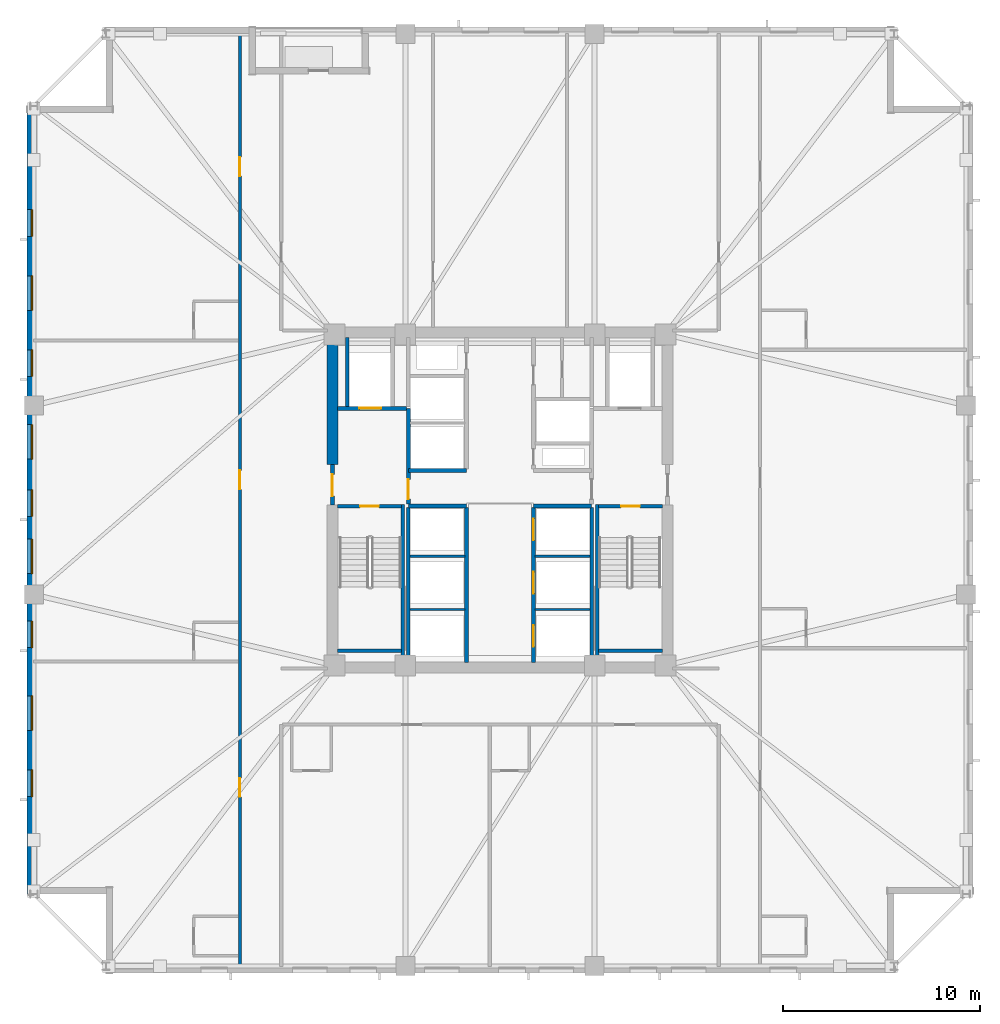
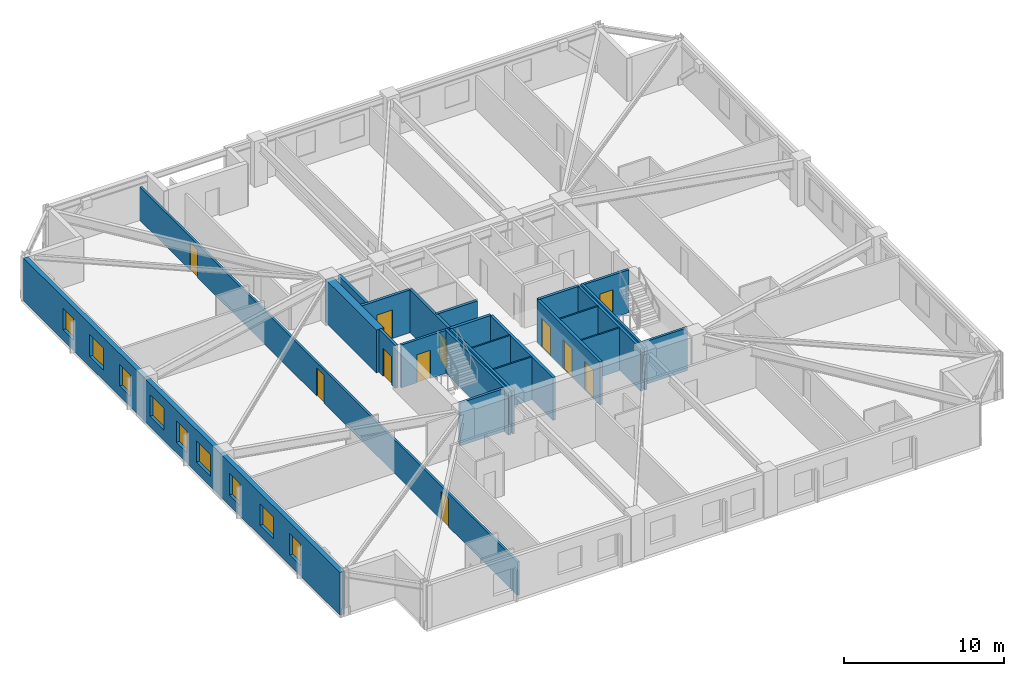
# One storey, part 3 of 11: 24 walls, 11 doors, 9 windows, 20 openings.
"""IFC4 building model written with IfcOpenShell, lengths in metres."""

from ifc_helpers import new_model, si_unit, direction, frame, frame_2d, origin, place, context, subcontext, project, spatial, rectangle, extrude, material, layer, layer_set, type_object, element, fill, save


model = new_model("IFC4")

# Units and contexts
model_context = context("Model", 3, precision=1e-05, world=origin(), true_north=direction((0.0, 1.0)))
body_context = subcontext(model_context, "Body", "Model", "MODEL_VIEW")
ifc_project = project(units=[si_unit("LENGTHUNIT", "METRE"), si_unit("AREAUNIT", "SQUARE_METRE"), si_unit("VOLUMEUNIT", "CUBIC_METRE"), si_unit("PLANEANGLEUNIT", "RADIAN"), si_unit("MASSUNIT", "GRAM", prefix="KILO")], contexts=[model_context])

# Site, building, storey
site_placement = place(None, origin())
site = spatial("IfcSite", under=ifc_project, at=site_placement, CompositionType="ELEMENT")
building_placement = place(site_placement, origin())
building = spatial("IfcBuilding", under=site, at=building_placement, Name="Cairnveth Concourse Tower", CompositionType="ELEMENT")
storey_placement = place(building_placement, frame((0.0, 0.0, 106.0)))
storey = spatial("IfcBuildingStorey", under=building, at=storey_placement, Name="L28", CompositionType="ELEMENT", Elevation=106.0)

# Wall, openings, doors
ifc_material_1 = material(Name="Gypsum Plasterboard Partition", Category="gypsum")
ifc_layer_1 = layer(ifc_material_1, 0.159912109375)
ifc_layer_set_1 = layer_set([ifc_layer_1], Name="Gypsum Plasterboard Partition")
wall_type_1 = type_object("IfcWallType", Name="ACOUSTIC PARTY WALL 180", PredefinedType="PARTITIONING", material=ifc_layer_set_1)
wall_1_placement = place(storey_placement, frame((38.800048828125, 15.324951171875, 0.0), z_axis=(0.0, 0.0, 1.0), x_axis=(0.0, 1.0, 0.0)))
wall_1 = element("IfcWall", 1, at=wall_1_placement, inside=storey, type_object=wall_type_1, Name="Interior Wall IW-L28-038", PredefinedType="PARTITIONING", context=body_context, shape_type="SweptSolid", body=[
    extrude(rectangle(XDim=47.35009765625, YDim=0.159912109375, at=frame_2d((23.675048828125, 0.0))), origin(), (0.0, 0.0, 1.0), 2.554931640625),
])
opening_1_placement = place(wall_1_placement, frame((8.60595703125, 0.0, 0.0)))
opening_1 = element("IfcOpeningElement", 2, at=opening_1_placement, cuts=wall_1, Name="Opening ID09", PredefinedType="OPENING", context=body_context, shape_type="SweptSolid", body=[
    extrude(rectangle(XDim=0.9599609375, YDim=2.14990234375, at=frame_2d((0.47998046875, 1.074951171875))), frame((0.0, 0.08984375, 0.0), z_axis=(0.0, -1.0, 0.0), x_axis=(1.0, 0.0, 0.0)), (0.0, 0.0, 1.0), 0.179931640625),
])
opening_2_placement = place(wall_1_placement, frame((24.218017578125, 0.0, 0.0)))
opening_2 = element("IfcOpeningElement", 3, at=opening_2_placement, cuts=wall_1, Name="Opening ID09", PredefinedType="OPENING", context=body_context, shape_type="SweptSolid", body=[
    extrude(rectangle(XDim=0.9599609375, YDim=2.14990234375, at=frame_2d((0.47998046875, 1.074951171875))), frame((0.0, 0.08984375, 0.0), z_axis=(0.0, -1.0, 0.0), x_axis=(1.0, 0.0, 0.0)), (0.0, 0.0, 1.0), 0.179931640625),
])
opening_3_placement = place(wall_1_placement, frame((40.10693359375, 0.0, 0.0)))
opening_3 = element("IfcOpeningElement", 4, at=opening_3_placement, cuts=wall_1, Name="Opening ID09", PredefinedType="OPENING", context=body_context, shape_type="SweptSolid", body=[
    extrude(rectangle(XDim=0.9599609375, YDim=2.14990234375, at=frame_2d((0.47998046875, 1.074951171875))), frame((0.0, 0.08984375, 0.0), z_axis=(0.0, -1.0, 0.0), x_axis=(1.0, 0.0, 0.0)), (0.0, 0.0, 1.0), 0.179931640625),
])
ifc_material_2 = material(Name="Solid Core Hardwood Timber Leaf", Category="wood")
door_type_1 = type_object("IfcDoorType", Name="HOTEL ENTRANCE DOOR 960X2150", OperationType="NOTDEFINED", PredefinedType="DOOR", material=ifc_material_2)
door_1_placement = place(opening_1_placement, origin())
door_1 = element("IfcDoor", 5, at=door_1_placement, inside=storey, type_object=door_type_1, Name="Hotel Room Door L28-W1", OperationType="SINGLE_SWING_RIGHT", OverallHeight=2.14990234375, OverallWidth=0.9599609375, PredefinedType="DOOR", context=body_context, shape_type="SweptSolid", body=[
    extrude(rectangle(XDim=0.9599609375, YDim=2.14990234375, at=frame_2d((0.47998046875, 1.074951171875))), frame((0.0, 0.02490234375, 0.0), z_axis=(0.0, -1.0, 0.0), x_axis=(1.0, 0.0, 0.0)), (0.0, 0.0, 1.0), 0.050048828125),
])
fill(opening_1, door_1)
door_2_placement = place(opening_2_placement, origin())
door_2 = element("IfcDoor", 6, at=door_2_placement, inside=storey, type_object=door_type_1, Name="Hotel Room Door L28-W2", OperationType="SINGLE_SWING_RIGHT", OverallHeight=2.14990234375, OverallWidth=0.9599609375, PredefinedType="DOOR", context=body_context, shape_type="SweptSolid", body=[
    extrude(rectangle(XDim=0.9599609375, YDim=2.14990234375, at=frame_2d((0.47998046875, 1.074951171875))), frame((0.0, 0.02490234375, 0.0), z_axis=(0.0, -1.0, 0.0), x_axis=(1.0, 0.0, 0.0)), (0.0, 0.0, 1.0), 0.050048828125),
])
fill(opening_2, door_2)
door_3_placement = place(opening_3_placement, origin())
door_3 = element("IfcDoor", 7, at=door_3_placement, inside=storey, type_object=door_type_1, Name="Hotel Room Door L28-W3", OperationType="SINGLE_SWING_RIGHT", OverallHeight=2.14990234375, OverallWidth=0.9599609375, PredefinedType="DOOR", context=body_context, shape_type="SweptSolid", body=[
    extrude(rectangle(XDim=0.9599609375, YDim=2.14990234375, at=frame_2d((0.47998046875, 1.074951171875))), frame((0.0, 0.02490234375, 0.0), z_axis=(0.0, -1.0, 0.0), x_axis=(1.0, 0.0, 0.0)), (0.0, 0.0, 1.0), 0.050048828125),
])
fill(opening_3, door_3)

# Walls
ifc_material_3 = material(Name="Concrete N80 (80 MPa)", Category="concrete")
ifc_layer_2 = layer(ifc_material_3, 0.550048828125)
ifc_layer_set_2 = layer_set([ifc_layer_2], Name="Concrete N80 (80 MPa)")
wall_type_2 = type_object("IfcWallType", Name="CORE SHEAR WALL 550", PredefinedType="SHEAR", material=ifc_layer_set_2)
wall_2_placement = place(storey_placement, frame((43.5, 40.800048828125, 0.0), z_axis=(0.0, 0.0, 1.0), x_axis=(0.0, 1.0, 0.0)))
element("IfcWall", 8, at=wall_2_placement, inside=storey, type_object=wall_type_2, Name="Core West Shear Wall N L28", PredefinedType="SHEAR", context=body_context, shape_type="SweptSolid", body=[
    extrude(rectangle(XDim=6.43505859375, YDim=0.550048828125, at=frame_2d((3.217529296875, 0.0))), origin(), (0.0, 0.0, 1.0), 3.280029296875),
])
ifc_material_4 = material(Name="Concrete N50 (50 MPa)", Category="concrete")
ifc_layer_3 = layer(ifc_material_4, 0.179931640625)
ifc_layer_set_3 = layer_set([ifc_layer_3], Name="Concrete N50 (50 MPa)")
wall_type_3 = type_object("IfcWallType", Name="FIRE SHAFT WALL 180", PredefinedType="SOLIDWALL", material=ifc_layer_set_3)
for number, where, z_axis, x_axis, name in (
    (9, (47.35009765625, 30.760009765625, 0.0), (0.0, 0.0, 1.0), (0.0, 1.0, 0.0), "Interior Wall IW-L28-025"),
    (10, (56.64990234375, 30.760009765625, 0.0), (0.0, 0.0, 1.0), (0.0, 1.0, 0.0), "Interior Wall IW-L28-028"),
):
    element("IfcWall", number, at=place(storey_placement, frame(where, z_axis=z_axis, x_axis=x_axis)), inside=storey, type_object=wall_type_3, Name=name, PredefinedType="SOLIDWALL", context=body_context, shape_type="SweptSolid", body=[
        extrude(rectangle(XDim=7.85498046875, YDim=0.179931640625, at=frame_2d((3.927490234375, 0.0))), origin(), (0.0, 0.0, 1.0), 3.280029296875),
    ])

# Wall, opening, door
wall_3_placement = place(storey_placement, frame((43.764892578125, 38.68994140625, 0.0), z_axis=(0.0, 0.0, 1.0), x_axis=(1.0, 0.0, 0.0)))
wall_3 = element("IfcWall", 11, at=wall_3_placement, inside=storey, type_object=wall_type_3, Name="Stair ST-1 Shaft Wall NEAR L28", PredefinedType="SOLIDWALL", context=body_context, shape_type="SweptSolid", body=[
    extrude(rectangle(XDim=3.230224609375, YDim=0.179931640625, at=frame_2d((1.615234375, 0.0))), origin(), (0.0, 0.0, 1.0), 3.280029296875),
])
opening_4_placement = place(wall_3_placement, frame((1.139892578125, 0.0, 0.0)))
opening_4 = element("IfcOpeningElement", 12, at=opening_4_placement, cuts=wall_3, Name="Opening ID12", PredefinedType="OPENING", context=body_context, shape_type="SweptSolid", body=[
    extrude(rectangle(XDim=0.949951171875, YDim=2.14990234375, at=frame_2d((0.47509765625, 1.074951171875))), frame((0.0, 0.099853515625, 0.0), z_axis=(0.0, -1.0, 0.0), x_axis=(1.0, 0.0, 0.0)), (0.0, 0.0, 1.0), 0.199951171875),
])
ifc_material_5 = material(Name="Steel Grade 350", Category="steel")
door_type_2 = type_object("IfcDoorType", Name="FIRE STAIR DOOR 950X2150", OperationType="NOTDEFINED", PredefinedType="DOOR", material=ifc_material_5)
door_4_placement = place(opening_4_placement, origin())
door_4 = element("IfcDoor", 13, at=door_4_placement, inside=storey, type_object=door_type_2, Name="Stair ST-1 Fire Door L28", OperationType="SINGLE_SWING_LEFT", OverallHeight=2.14990234375, OverallWidth=0.949951171875, PredefinedType="DOOR", context=body_context, shape_type="SweptSolid", body=[
    extrude(rectangle(XDim=0.949951171875, YDim=2.14990234375, at=frame_2d((0.47509765625, 1.074951171875))), frame((0.0, 0.02490234375, 0.0), z_axis=(0.0, -1.0, 0.0), x_axis=(1.0, 0.0, 0.0)), (0.0, 0.0, 1.0), 0.050048828125),
])
fill(opening_4, door_4)

# Walls
wall_4_placement = place(storey_placement, frame((43.764892578125, 31.360107421875, 0.0), z_axis=(0.0, 0.0, 1.0), x_axis=(1.0, 0.0, 0.0)))
element("IfcWall", 14, at=wall_4_placement, inside=storey, type_object=wall_type_3, Name="Stair ST-1 Shaft Wall FAR L28", PredefinedType="SOLIDWALL", context=body_context, shape_type="SweptSolid", body=[
    extrude(rectangle(XDim=3.230224609375, YDim=0.179931640625, at=frame_2d((1.615234375, 0.0))), origin(), (0.0, 0.0, 1.0), 3.280029296875),
])
wall_5_placement = place(storey_placement, frame((47.070068359375, 38.780029296875, 0.0), z_axis=(0.0, 0.0, 1.0), x_axis=(0.0, -1.0, 0.0)))
element("IfcWall", 15, at=wall_5_placement, inside=storey, type_object=wall_type_3, Name="Stair ST-1 Shaft Wall RGHT L28", PredefinedType="SOLIDWALL", context=body_context, shape_type="SweptSolid", body=[
    extrude(rectangle(XDim=8.01708984375, YDim=0.179931640625, at=frame_2d((4.008544921875, 0.0))), origin(), (0.0, 0.0, 1.0), 3.280029296875),
])

# Wall, opening, door
wall_6_placement = place(storey_placement, frame((57.0048828125, 38.68994140625, 0.0), z_axis=(0.0, 0.0, 1.0), x_axis=(1.0, 0.0, 0.0)))
wall_6 = element("IfcWall", 16, at=wall_6_placement, inside=storey, type_object=wall_type_3, Name="Stair ST-2 Shaft Wall NEAR L28", PredefinedType="SOLIDWALL", context=body_context, shape_type="SweptSolid", body=[
    extrude(rectangle(XDim=3.230224609375, YDim=0.179931640625, at=frame_2d((1.615234375, 0.0))), origin(), (0.0, 0.0, 1.0), 3.280029296875),
])
opening_5_placement = place(wall_6_placement, frame((1.139892578125, 0.0, 0.0)))
opening_5 = element("IfcOpeningElement", 17, at=opening_5_placement, cuts=wall_6, Name="Opening ID12", PredefinedType="OPENING", context=body_context, shape_type="SweptSolid", body=[
    extrude(rectangle(XDim=0.949951171875, YDim=2.14990234375, at=frame_2d((0.47509765625, 1.074951171875))), frame((0.0, 0.099853515625, 0.0), z_axis=(0.0, -1.0, 0.0), x_axis=(1.0, 0.0, 0.0)), (0.0, 0.0, 1.0), 0.199951171875),
])
door_5_placement = place(opening_5_placement, origin())
door_5 = element("IfcDoor", 18, at=door_5_placement, inside=storey, type_object=door_type_2, Name="Stair ST-2 Fire Door L28", OperationType="SINGLE_SWING_RIGHT", OverallHeight=2.14990234375, OverallWidth=0.949951171875, PredefinedType="DOOR", context=body_context, shape_type="SweptSolid", body=[
    extrude(rectangle(XDim=0.949951171875, YDim=2.14990234375, at=frame_2d((0.47509765625, 1.074951171875))), frame((0.0, 0.02490234375, 0.0), z_axis=(0.0, -1.0, 0.0), x_axis=(1.0, 0.0, 0.0)), (0.0, 0.0, 1.0), 0.050048828125),
])
fill(opening_5, door_5)

# Walls
wall_7_placement = place(storey_placement, frame((57.0048828125, 31.360107421875, 0.0), z_axis=(0.0, 0.0, 1.0), x_axis=(1.0, 0.0, 0.0)))
element("IfcWall", 19, at=wall_7_placement, inside=storey, type_object=wall_type_3, Name="Stair ST-2 Shaft Wall FAR L28", PredefinedType="SOLIDWALL", context=body_context, shape_type="SweptSolid", body=[
    extrude(rectangle(XDim=3.230224609375, YDim=0.179931640625, at=frame_2d((1.615234375, 0.0))), origin(), (0.0, 0.0, 1.0), 3.280029296875),
])
wall_8_placement = place(storey_placement, frame((56.929931640625, 38.780029296875, 0.0), z_axis=(0.0, 0.0, 1.0), x_axis=(0.0, -1.0, 0.0)))
element("IfcWall", 20, at=wall_8_placement, inside=storey, type_object=wall_type_3, Name="Stair ST-2 Shaft Wall LEFT L28", PredefinedType="SOLIDWALL", context=body_context, shape_type="SweptSolid", body=[
    extrude(rectangle(XDim=8.01708984375, YDim=0.179931640625, at=frame_2d((4.008544921875, 0.0))), origin(), (0.0, 0.0, 1.0), 3.280029296875),
])
ifc_layer_4 = layer(ifc_material_4, 0.199951171875)
ifc_layer_set_4 = layer_set([ifc_layer_4], Name="Concrete N50 (50 MPa)")
wall_type_4 = type_object("IfcWallType", Name="FIRE SHAFT WALL 200", PredefinedType="SOLIDWALL", material=ifc_layer_set_4)
for number, where, z_axis, x_axis, name in (
    (21, (47.35009765625, 38.699951171875, 0.0), (0.0, 0.0, 1.0), (1.0, 0.0, 0.0), "Interior Wall IW-L28-007"),
    (22, (47.35009765625, 40.5, 0.0), (0.0, 0.0, 1.0), (1.0, 0.0, 0.0), "Interior Wall IW-L28-008"),
    (23, (53.699951171875, 38.699951171875, 0.0), (0.0, 0.0, 1.0), (1.0, 0.0, 0.0), "Interior Wall IW-L28-009"),
):
    element("IfcWall", number, at=place(storey_placement, frame(where, z_axis=z_axis, x_axis=x_axis)), inside=storey, type_object=wall_type_4, Name=name, PredefinedType="SOLIDWALL", context=body_context, shape_type="SweptSolid", body=[
        extrude(rectangle(XDim=2.949951171875, YDim=0.199951171875, at=frame_2d((1.47509765625, 0.0))), origin(), (0.0, 0.0, 1.0), 3.280029296875),
    ])
wall_9_placement = place(storey_placement, frame((50.300048828125, 30.760009765625, 0.0), z_axis=(0.0, 0.0, 1.0), x_axis=(0.0, 1.0, 0.0)))
element("IfcWall", 24, at=wall_9_placement, inside=storey, type_object=wall_type_4, Name="Interior Wall IW-L28-011", PredefinedType="SOLIDWALL", context=body_context, shape_type="SweptSolid", body=[
    extrude(rectangle(XDim=7.85498046875, YDim=0.199951171875, at=frame_2d((3.927490234375, 0.0))), origin(), (0.0, 0.0, 1.0), 3.280029296875),
])

# Wall, openings, doors
wall_10_placement = place(storey_placement, frame((53.699951171875, 30.760009765625, 0.0), z_axis=(0.0, 0.0, 1.0), x_axis=(0.0, 1.0, 0.0)))
wall_10 = element("IfcWall", 25, at=wall_10_placement, inside=storey, type_object=wall_type_4, Name="Interior Wall IW-L28-012", PredefinedType="SOLIDWALL", context=body_context, shape_type="SweptSolid", body=[
    extrude(rectangle(XDim=7.85498046875, YDim=0.199951171875, at=frame_2d((3.927490234375, 0.0))), origin(), (0.0, 0.0, 1.0), 3.280029296875),
])
opening_6_placement = place(wall_10_placement, frame((0.7900390625, 0.0, 0.0)))
opening_6 = element("IfcOpeningElement", 26, at=opening_6_placement, cuts=wall_10, Name="Opening LD-1", PredefinedType="OPENING", context=body_context, shape_type="SweptSolid", body=[
    extrude(rectangle(XDim=1.10009765625, YDim=2.199951171875, at=frame_2d((0.550048828125, 1.10009765625))), frame((0.0, 0.10986328125, 0.0), z_axis=(0.0, -1.0, 0.0), x_axis=(1.0, 0.0, 0.0)), (0.0, 0.0, 1.0), 0.219970703125),
])
opening_7_placement = place(wall_10_placement, frame((3.489990234375, 0.0, 0.0)))
opening_7 = element("IfcOpeningElement", 27, at=opening_7_placement, cuts=wall_10, Name="Opening LD-1", PredefinedType="OPENING", context=body_context, shape_type="SweptSolid", body=[
    extrude(rectangle(XDim=1.10009765625, YDim=2.199951171875, at=frame_2d((0.550048828125, 1.10009765625))), frame((0.0, 0.10986328125, 0.0), z_axis=(0.0, -1.0, 0.0), x_axis=(1.0, 0.0, 0.0)), (0.0, 0.0, 1.0), 0.219970703125),
])
opening_8_placement = place(wall_10_placement, frame((6.18994140625, 0.0, 0.0)))
opening_8 = element("IfcOpeningElement", 28, at=opening_8_placement, cuts=wall_10, Name="Opening LD-1", PredefinedType="OPENING", context=body_context, shape_type="SweptSolid", body=[
    extrude(rectangle(XDim=1.10009765625, YDim=2.199951171875, at=frame_2d((0.550048828125, 1.10009765625))), frame((0.0, 0.10986328125, 0.0), z_axis=(0.0, -1.0, 0.0), x_axis=(1.0, 0.0, 0.0)), (0.0, 0.0, 1.0), 0.219970703125),
])
ifc_material_6 = material(Name="Architectural Bronze Anodised Aluminium 6063-T6", Category="aluminium")
door_type_3 = type_object("IfcDoorType", Name="LIFT LANDING DOOR 1100X2200", OperationType="SLIDING_TO_LEFT", PredefinedType="DOOR", material=ifc_material_6)
door_6_placement = place(opening_6_placement, origin())
door_6 = element("IfcDoor", 29, at=door_6_placement, inside=storey, type_object=door_type_3, Name="Lift PL4 Landing Door L28", OperationType="SLIDING_TO_LEFT", OverallHeight=2.199951171875, OverallWidth=1.10009765625, PredefinedType="DOOR", context=body_context, shape_type="SweptSolid", body=[
    extrude(rectangle(XDim=1.10009765625, YDim=2.199951171875, at=frame_2d((0.550048828125, 1.10009765625))), frame((0.0, 0.02490234375, 0.0), z_axis=(0.0, -1.0, 0.0), x_axis=(1.0, 0.0, 0.0)), (0.0, 0.0, 1.0), 0.050048828125),
])
fill(opening_6, door_6)
door_7_placement = place(opening_7_placement, origin())
door_7 = element("IfcDoor", 30, at=door_7_placement, inside=storey, type_object=door_type_3, Name="Lift PL5 Landing Door L28", OperationType="SLIDING_TO_LEFT", OverallHeight=2.199951171875, OverallWidth=1.10009765625, PredefinedType="DOOR", context=body_context, shape_type="SweptSolid", body=[
    extrude(rectangle(XDim=1.10009765625, YDim=2.199951171875, at=frame_2d((0.550048828125, 1.10009765625))), frame((0.0, 0.02490234375, 0.0), z_axis=(0.0, -1.0, 0.0), x_axis=(1.0, 0.0, 0.0)), (0.0, 0.0, 1.0), 0.050048828125),
])
fill(opening_7, door_7)
door_8_placement = place(opening_8_placement, origin())
door_8 = element("IfcDoor", 31, at=door_8_placement, inside=storey, type_object=door_type_3, Name="Lift PL6 Landing Door L28", OperationType="SLIDING_TO_LEFT", OverallHeight=2.199951171875, OverallWidth=1.10009765625, PredefinedType="DOOR", context=body_context, shape_type="SweptSolid", body=[
    extrude(rectangle(XDim=1.10009765625, YDim=2.199951171875, at=frame_2d((0.550048828125, 1.10009765625))), frame((0.0, 0.02490234375, 0.0), z_axis=(0.0, -1.0, 0.0), x_axis=(1.0, 0.0, 0.0)), (0.0, 0.0, 1.0), 0.050048828125),
])
fill(opening_8, door_8)

# Wall, opening, door
wall_11_placement = place(storey_placement, frame((43.5, 38.75, 0.0), z_axis=(0.0, 0.0, 1.0), x_axis=(0.0, 1.0, 0.0)))
wall_11 = element("IfcWall", 32, at=wall_11_placement, inside=storey, type_object=wall_type_4, Name="Interior Wall IW-L28-015", PredefinedType="SOLIDWALL", context=body_context, shape_type="SweptSolid", body=[
    extrude(rectangle(XDim=2.050048828125, YDim=0.199951171875, at=frame_2d((1.02490234375, 0.0))), origin(), (0.0, 0.0, 1.0), 3.280029296875),
])
opening_9_placement = place(wall_11_placement, frame((0.449951171875, 0.0, 0.0)))
opening_9 = element("IfcOpeningElement", 33, at=opening_9_placement, cuts=wall_11, Name="Opening ID06", PredefinedType="OPENING", context=body_context, shape_type="SweptSolid", body=[
    extrude(rectangle(XDim=1.10009765625, YDim=2.14990234375, at=frame_2d((0.550048828125, 1.074951171875))), frame((0.0, 0.10986328125, 0.0), z_axis=(0.0, -1.0, 0.0), x_axis=(1.0, 0.0, 0.0)), (0.0, 0.0, 1.0), 0.219970703125),
])
door_type_4 = type_object("IfcDoorType", Name="FIRE CORRIDOR DOOR 1100X2150", OperationType="NOTDEFINED", PredefinedType="DOOR", material=ifc_material_5)
door_9_placement = place(opening_9_placement, origin())
door_9 = element("IfcDoor", 34, at=door_9_placement, inside=storey, type_object=door_type_4, Name="West Wing to FF Lobby Door L28", OperationType="SINGLE_SWING_LEFT", OverallHeight=2.14990234375, OverallWidth=1.10009765625, PredefinedType="DOOR", context=body_context, shape_type="SweptSolid", body=[
    extrude(rectangle(XDim=1.10009765625, YDim=2.14990234375, at=frame_2d((0.550048828125, 1.074951171875))), frame((0.0, 0.02490234375, 0.0), z_axis=(0.0, -1.0, 0.0), x_axis=(1.0, 0.0, 0.0)), (0.0, 0.0, 1.0), 0.050048828125),
])
fill(opening_9, door_9)

wall_12_placement = place(storey_placement, frame((47.35009765625, 38.784912109375, 0.0), z_axis=(0.0, 0.0, 1.0), x_axis=(0.0, 1.0, 0.0)))
wall_12 = element("IfcWall", 35, at=wall_12_placement, inside=storey, type_object=wall_type_4, Name="Interior Wall IW-L28-016", PredefinedType="SOLIDWALL", context=body_context, shape_type="SweptSolid", body=[
    extrude(rectangle(XDim=4.864990234375, YDim=0.199951171875, at=frame_2d((2.4326171875, 0.0))), origin(), (0.0, 0.0, 1.0), 3.280029296875),
])
opening_10_placement = place(wall_12_placement, frame((0.264892578125, 0.0, 0.0)))
opening_10 = element("IfcOpeningElement", 36, at=opening_10_placement, cuts=wall_12, Name="Opening ID07", PredefinedType="OPENING", context=body_context, shape_type="SweptSolid", body=[
    extrude(rectangle(XDim=1.0, YDim=2.14990234375, at=frame_2d((0.5, 1.074951171875))), frame((0.0, 0.10986328125, 0.0), z_axis=(0.0, -1.0, 0.0), x_axis=(1.0, 0.0, 0.0)), (0.0, 0.0, 1.0), 0.219970703125),
])
door_type_5 = type_object("IfcDoorType", Name="FIRE CORRIDOR DOOR 1000X2150", OperationType="NOTDEFINED", PredefinedType="DOOR", material=ifc_material_5)
door_10_placement = place(opening_10_placement, origin())
door_10 = element("IfcDoor", 37, at=door_10_placement, inside=storey, type_object=door_type_5, Name="FF Lobby West to Lift Lobby Door L28", OperationType="SINGLE_SWING_RIGHT", OverallHeight=2.14990234375, OverallWidth=1.0, PredefinedType="DOOR", context=body_context, shape_type="SweptSolid", body=[
    extrude(rectangle(XDim=1.0, YDim=2.14990234375, at=frame_2d((0.5, 1.074951171875))), frame((0.0, 0.02490234375, 0.0), z_axis=(0.0, -1.0, 0.0), x_axis=(1.0, 0.0, 0.0)), (0.0, 0.0, 1.0), 0.050048828125),
])
fill(opening_10, door_10)

wall_13_placement = place(storey_placement, frame((43.760009765625, 43.64990234375, 0.0), z_axis=(0.0, 0.0, 1.0), x_axis=(1.0, 0.0, 0.0)))
wall_13 = element("IfcWall", 38, at=wall_13_placement, inside=storey, type_object=wall_type_4, Name="Interior Wall IW-L28-017", PredefinedType="SOLIDWALL", context=body_context, shape_type="SweptSolid", body=[
    extrude(rectangle(XDim=3.5048828125, YDim=0.199951171875, at=frame_2d((1.75244140625, 0.0))), origin(), (0.0, 0.0, 1.0), 3.280029296875),
])
opening_11_placement = place(wall_13_placement, frame((1.110107421875, 0.0, 0.0)))
opening_11 = element("IfcOpeningElement", 39, at=opening_11_placement, cuts=wall_13, Name="Opening LD-1", PredefinedType="OPENING", context=body_context, shape_type="SweptSolid", body=[
    extrude(rectangle(XDim=1.10009765625, YDim=2.199951171875, at=frame_2d((0.550048828125, 1.10009765625))), frame((0.0, 0.10986328125, 0.0), z_axis=(0.0, -1.0, 0.0), x_axis=(1.0, 0.0, 0.0)), (0.0, 0.0, 1.0), 0.219970703125),
])
door_11_placement = place(opening_11_placement, origin())
door_11 = element("IfcDoor", 40, at=door_11_placement, inside=storey, type_object=door_type_3, Name="Lift FFL1 Landing Door L28", OperationType="SLIDING_TO_LEFT", OverallHeight=2.199951171875, OverallWidth=1.10009765625, PredefinedType="DOOR", context=body_context, shape_type="SweptSolid", body=[
    extrude(rectangle(XDim=1.10009765625, YDim=2.199951171875, at=frame_2d((0.550048828125, 1.10009765625))), frame((0.0, 0.02490234375, 0.0), z_axis=(0.0, -1.0, 0.0), x_axis=(1.0, 0.0, 0.0)), (0.0, 0.0, 1.0), 0.050048828125),
])
fill(opening_11, door_11)

# Walls
wall_14_placement = place(storey_placement, frame((44.25, 43.735107421875, 0.0), z_axis=(0.0, 0.0, 1.0), x_axis=(0.0, 1.0, 0.0)))
element("IfcWall", 41, at=wall_14_placement, inside=storey, type_object=wall_type_4, Name="Interior Wall IW-L28-019", PredefinedType="SOLIDWALL", context=body_context, shape_type="SweptSolid", body=[
    extrude(rectangle(XDim=3.5048828125, YDim=0.199951171875, at=frame_2d((1.75244140625, 0.0))), origin(), (0.0, 0.0, 1.0), 3.280029296875),
])
ifc_layer_5 = layer(ifc_material_1, 0.110107421875)
ifc_layer_set_5 = layer_set([ifc_layer_5], Name="Gypsum Plasterboard Partition")
wall_type_5 = type_object("IfcWallType", Name="SHAFT DIVIDER WALL 140", PredefinedType="PARTITIONING", material=ifc_layer_set_5)
for number, where, z_axis, x_axis, name in (
    (42, (47.425048828125, 33.449951171875, 0.0), (0.0, 0.0, 1.0), (1.0, 0.0, 0.0), "Interior Wall IW-L28-026"),
    (43, (47.425048828125, 36.14990234375, 0.0), (0.0, 0.0, 1.0), (1.0, 0.0, 0.0), "Interior Wall IW-L28-027"),
    (44, (53.784912109375, 33.449951171875, 0.0), (0.0, 0.0, 1.0), (1.0, 0.0, 0.0), "Interior Wall IW-L28-029"),
    (45, (53.784912109375, 36.14990234375, 0.0), (0.0, 0.0, 1.0), (1.0, 0.0, 0.0), "Interior Wall IW-L28-030"),
):
    element("IfcWall", number, at=place(storey_placement, frame(where, z_axis=z_axis, x_axis=x_axis)), inside=storey, type_object=wall_type_5, Name=name, PredefinedType="PARTITIONING", context=body_context, shape_type="SweptSolid", body=[
        extrude(rectangle(XDim=2.7900390625, YDim=0.110107421875, at=frame_2d((1.39501953125, 0.0))), origin(), (0.0, 0.0, 1.0), 3.280029296875),
    ])

# Wall, openings, windows
ifc_material_7 = material(Name="Hawthorn Red-Ochre Fired Clay Brick Masonry", Category="masonry")
ifc_layer_6 = layer(ifc_material_7, 0.340087890625)
ifc_layer_set_6 = layer_set([ifc_layer_6], Name="Hawthorn Red-Ochre Fired Clay Brick Masonry")
wall_type_6 = type_object("IfcWallType", Name="ZONE 2 BRICK PIER SPANDREL WALL 340", PredefinedType="SOLIDWALL", material=ifc_layer_set_6)
wall_15_placement = place(storey_placement, frame((28.169921875, 19.0, 0.0), z_axis=(0.0, 0.0, 1.0), x_axis=(0.0, 1.0, 0.0)))
wall_15 = element("IfcWall", 46, at=wall_15_placement, inside=storey, type_object=wall_type_6, Name="Exterior Wall EW-L28-S09", PredefinedType="SOLIDWALL", context=body_context, shape_type="SweptSolid", body=[
    extrude(rectangle(XDim=39.681884765625, YDim=0.340087890625, at=frame_2d((19.8408203125, 0.0))), origin(), (0.0, 0.0, 1.0), 3.280029296875),
])
opening_12_placement = place(wall_15_placement, frame((4.951904296875, 0.0, 0.800048828125)))
opening_12 = element("IfcOpeningElement", 47, at=opening_12_placement, cuts=wall_15, Name="Opening W02", PredefinedType="OPENING", context=body_context, shape_type="SweptSolid", body=[
    extrude(rectangle(XDim=1.35009765625, YDim=1.659912109375, at=frame_2d((0.675048828125, 0.830078125))), frame((0.0, 0.179931640625, 0.0), z_axis=(0.0, -1.0, 0.0), x_axis=(1.0, 0.0, 0.0)), (0.0, 0.0, 1.0), 0.360107421875),
])
opening_13_placement = place(wall_15_placement, frame((8.305419921875, 0.0, 0.800048828125)))
opening_13 = element("IfcOpeningElement", 48, at=opening_13_placement, cuts=wall_15, Name="Opening W06", PredefinedType="OPENING", context=body_context, shape_type="SweptSolid", body=[
    extrude(rectangle(XDim=1.75, YDim=1.659912109375, at=frame_2d((0.875, 0.830078125))), frame((0.0, 0.179931640625, 0.0), z_axis=(0.0, -1.0, 0.0), x_axis=(1.0, 0.0, 0.0)), (0.0, 0.0, 1.0), 0.360107421875),
])
opening_14_placement = place(wall_15_placement, frame((12.5087890625, 0.0, 0.800048828125)))
opening_14 = element("IfcOpeningElement", 49, at=opening_14_placement, cuts=wall_15, Name="Opening W02", PredefinedType="OPENING", context=body_context, shape_type="SweptSolid", body=[
    extrude(rectangle(XDim=1.35009765625, YDim=1.659912109375, at=frame_2d((0.675048828125, 0.830078125))), frame((0.0, 0.179931640625, 0.0), z_axis=(0.0, -1.0, 0.0), x_axis=(1.0, 0.0, 0.0)), (0.0, 0.0, 1.0), 0.360107421875),
])
opening_15_placement = place(wall_15_placement, frame((16.262451171875, 0.0, 0.800048828125)))
opening_15 = element("IfcOpeningElement", 50, at=opening_15_placement, cuts=wall_15, Name="Opening W06", PredefinedType="OPENING", context=body_context, shape_type="SweptSolid", body=[
    extrude(rectangle(XDim=1.75, YDim=1.659912109375, at=frame_2d((0.875, 0.830078125))), frame((0.0, 0.179931640625, 0.0), z_axis=(0.0, -1.0, 0.0), x_axis=(1.0, 0.0, 0.0)), (0.0, 0.0, 1.0), 0.360107421875),
])
opening_16_placement = place(wall_15_placement, frame((19.166015625, 0.0, 0.800048828125)))
opening_16 = element("IfcOpeningElement", 51, at=opening_16_placement, cuts=wall_15, Name="Opening W02", PredefinedType="OPENING", context=body_context, shape_type="SweptSolid", body=[
    extrude(rectangle(XDim=1.35009765625, YDim=1.659912109375, at=frame_2d((0.675048828125, 0.830078125))), frame((0.0, 0.179931640625, 0.0), z_axis=(0.0, -1.0, 0.0), x_axis=(1.0, 0.0, 0.0)), (0.0, 0.0, 1.0), 0.360107421875),
])
opening_17_placement = place(wall_15_placement, frame((22.069580078125, 0.0, 0.800048828125)))
opening_17 = element("IfcOpeningElement", 52, at=opening_17_placement, cuts=wall_15, Name="Opening W06", PredefinedType="OPENING", context=body_context, shape_type="SweptSolid", body=[
    extrude(rectangle(XDim=1.75, YDim=1.659912109375, at=frame_2d((0.875, 0.830078125))), frame((0.0, 0.179931640625, 0.0), z_axis=(0.0, -1.0, 0.0), x_axis=(1.0, 0.0, 0.0)), (0.0, 0.0, 1.0), 0.360107421875),
])
opening_18_placement = place(wall_15_placement, frame((26.273193359375, 0.0, 0.800048828125)))
opening_18 = element("IfcOpeningElement", 53, at=opening_18_placement, cuts=wall_15, Name="Opening W02", PredefinedType="OPENING", context=body_context, shape_type="SweptSolid", body=[
    extrude(rectangle(XDim=1.35009765625, YDim=1.659912109375, at=frame_2d((0.675048828125, 0.830078125))), frame((0.0, 0.179931640625, 0.0), z_axis=(0.0, -1.0, 0.0), x_axis=(1.0, 0.0, 0.0)), (0.0, 0.0, 1.0), 0.360107421875),
])
opening_19_placement = place(wall_15_placement, frame((29.626708984375, 0.0, 0.800048828125)))
opening_19 = element("IfcOpeningElement", 54, at=opening_19_placement, cuts=wall_15, Name="Opening W06", PredefinedType="OPENING", context=body_context, shape_type="SweptSolid", body=[
    extrude(rectangle(XDim=1.75, YDim=1.659912109375, at=frame_2d((0.875, 0.830078125))), frame((0.0, 0.179931640625, 0.0), z_axis=(0.0, -1.0, 0.0), x_axis=(1.0, 0.0, 0.0)), (0.0, 0.0, 1.0), 0.360107421875),
])
opening_20_placement = place(wall_15_placement, frame((33.380126953125, 0.0, 0.800048828125)))
opening_20 = element("IfcOpeningElement", 55, at=opening_20_placement, cuts=wall_15, Name="Opening W02", PredefinedType="OPENING", context=body_context, shape_type="SweptSolid", body=[
    extrude(rectangle(XDim=1.35009765625, YDim=1.659912109375, at=frame_2d((0.675048828125, 0.830078125))), frame((0.0, 0.179931640625, 0.0), z_axis=(0.0, -1.0, 0.0), x_axis=(1.0, 0.0, 0.0)), (0.0, 0.0, 1.0), 0.360107421875),
])
ifc_material_8 = material(Name="Double Glazed Low-E Clear Glass", Category="glass")
window_type_1 = type_object("IfcWindowType", Name="DEEP-SET GOTHIC LANCET WINDOW 1350X1800", PartitioningType="DOUBLE_PANEL_VERTICAL", PredefinedType="WINDOW", material=ifc_material_8)
window_1_placement = place(opening_12_placement, origin())
window_1 = element("IfcWindow", 56, at=window_1_placement, inside=storey, type_object=window_type_1, Name="Gothic Lancet Window L28-9-1", OverallHeight=1.659912109375, OverallWidth=1.35009765625, PartitioningType="SINGLE_PANEL", PredefinedType="WINDOW", context=body_context, shape_type="SweptSolid", body=[
    extrude(rectangle(XDim=1.35009765625, YDim=1.659912109375, at=frame_2d((0.675048828125, 0.830078125))), frame((0.0, -0.050048828125, 0.0), z_axis=(0.0, -1.0, 0.0), x_axis=(1.0, 0.0, 0.0)), (0.0, 0.0, 1.0), 0.06005859375),
])
fill(opening_12, window_1)
window_2_placement = place(opening_14_placement, origin())
window_2 = element("IfcWindow", 57, at=window_2_placement, inside=storey, type_object=window_type_1, Name="Gothic Lancet Window L28-9-3", OverallHeight=1.659912109375, OverallWidth=1.35009765625, PartitioningType="SINGLE_PANEL", PredefinedType="WINDOW", context=body_context, shape_type="SweptSolid", body=[
    extrude(rectangle(XDim=1.35009765625, YDim=1.659912109375, at=frame_2d((0.675048828125, 0.830078125))), frame((0.0, -0.050048828125, 0.0), z_axis=(0.0, -1.0, 0.0), x_axis=(1.0, 0.0, 0.0)), (0.0, 0.0, 1.0), 0.06005859375),
])
fill(opening_14, window_2)
window_3_placement = place(opening_16_placement, origin())
window_3 = element("IfcWindow", 58, at=window_3_placement, inside=storey, type_object=window_type_1, Name="Gothic Lancet Window L28-9-5", OverallHeight=1.659912109375, OverallWidth=1.35009765625, PartitioningType="SINGLE_PANEL", PredefinedType="WINDOW", context=body_context, shape_type="SweptSolid", body=[
    extrude(rectangle(XDim=1.35009765625, YDim=1.659912109375, at=frame_2d((0.675048828125, 0.830078125))), frame((0.0, -0.050048828125, 0.0), z_axis=(0.0, -1.0, 0.0), x_axis=(1.0, 0.0, 0.0)), (0.0, 0.0, 1.0), 0.06005859375),
])
fill(opening_16, window_3)
window_4_placement = place(opening_18_placement, origin())
window_4 = element("IfcWindow", 59, at=window_4_placement, inside=storey, type_object=window_type_1, Name="Gothic Lancet Window L28-9-7", OverallHeight=1.659912109375, OverallWidth=1.35009765625, PartitioningType="SINGLE_PANEL", PredefinedType="WINDOW", context=body_context, shape_type="SweptSolid", body=[
    extrude(rectangle(XDim=1.35009765625, YDim=1.659912109375, at=frame_2d((0.675048828125, 0.830078125))), frame((0.0, -0.050048828125, 0.0), z_axis=(0.0, -1.0, 0.0), x_axis=(1.0, 0.0, 0.0)), (0.0, 0.0, 1.0), 0.06005859375),
])
fill(opening_18, window_4)
window_5_placement = place(opening_20_placement, origin())
window_5 = element("IfcWindow", 60, at=window_5_placement, inside=storey, type_object=window_type_1, Name="Gothic Lancet Window L28-9-9", OverallHeight=1.659912109375, OverallWidth=1.35009765625, PartitioningType="SINGLE_PANEL", PredefinedType="WINDOW", context=body_context, shape_type="SweptSolid", body=[
    extrude(rectangle(XDim=1.35009765625, YDim=1.659912109375, at=frame_2d((0.675048828125, 0.830078125))), frame((0.0, -0.050048828125, 0.0), z_axis=(0.0, -1.0, 0.0), x_axis=(1.0, 0.0, 0.0)), (0.0, 0.0, 1.0), 0.06005859375),
])
fill(opening_20, window_5)
window_type_2 = type_object("IfcWindowType", Name="DEEP-SET HOTEL SUITE WINDOW 1750X1800", PartitioningType="DOUBLE_PANEL_VERTICAL", PredefinedType="WINDOW", material=ifc_material_8)
window_6_placement = place(opening_13_placement, origin())
window_6 = element("IfcWindow", 61, at=window_6_placement, inside=storey, type_object=window_type_2, Name="Gothic Lancet Window L28-9-2", OverallHeight=1.659912109375, OverallWidth=1.75, PartitioningType="SINGLE_PANEL", PredefinedType="WINDOW", context=body_context, shape_type="SweptSolid", body=[
    extrude(rectangle(XDim=1.75, YDim=1.659912109375, at=frame_2d((0.875, 0.830078125))), frame((0.0, -0.050048828125, 0.0), z_axis=(0.0, -1.0, 0.0), x_axis=(1.0, 0.0, 0.0)), (0.0, 0.0, 1.0), 0.06005859375),
])
fill(opening_13, window_6)
window_7_placement = place(opening_15_placement, origin())
window_7 = element("IfcWindow", 62, at=window_7_placement, inside=storey, type_object=window_type_2, Name="Gothic Lancet Window L28-9-4", OverallHeight=1.659912109375, OverallWidth=1.75, PartitioningType="SINGLE_PANEL", PredefinedType="WINDOW", context=body_context, shape_type="SweptSolid", body=[
    extrude(rectangle(XDim=1.75, YDim=1.659912109375, at=frame_2d((0.875, 0.830078125))), frame((0.0, -0.050048828125, 0.0), z_axis=(0.0, -1.0, 0.0), x_axis=(1.0, 0.0, 0.0)), (0.0, 0.0, 1.0), 0.06005859375),
])
fill(opening_15, window_7)
window_8_placement = place(opening_17_placement, origin())
window_8 = element("IfcWindow", 63, at=window_8_placement, inside=storey, type_object=window_type_2, Name="Gothic Lancet Window L28-9-6", OverallHeight=1.659912109375, OverallWidth=1.75, PartitioningType="SINGLE_PANEL", PredefinedType="WINDOW", context=body_context, shape_type="SweptSolid", body=[
    extrude(rectangle(XDim=1.75, YDim=1.659912109375, at=frame_2d((0.875, 0.830078125))), frame((0.0, -0.050048828125, 0.0), z_axis=(0.0, -1.0, 0.0), x_axis=(1.0, 0.0, 0.0)), (0.0, 0.0, 1.0), 0.06005859375),
])
fill(opening_17, window_8)
window_9_placement = place(opening_19_placement, origin())
window_9 = element("IfcWindow", 64, at=window_9_placement, inside=storey, type_object=window_type_2, Name="Gothic Lancet Window L28-9-8", OverallHeight=1.659912109375, OverallWidth=1.75, PartitioningType="SINGLE_PANEL", PredefinedType="WINDOW", context=body_context, shape_type="SweptSolid", body=[
    extrude(rectangle(XDim=1.75, YDim=1.659912109375, at=frame_2d((0.875, 0.830078125))), frame((0.0, -0.050048828125, 0.0), z_axis=(0.0, -1.0, 0.0), x_axis=(1.0, 0.0, 0.0)), (0.0, 0.0, 1.0), 0.06005859375),
])
fill(opening_19, window_9)

save(model, "model.ifc")
